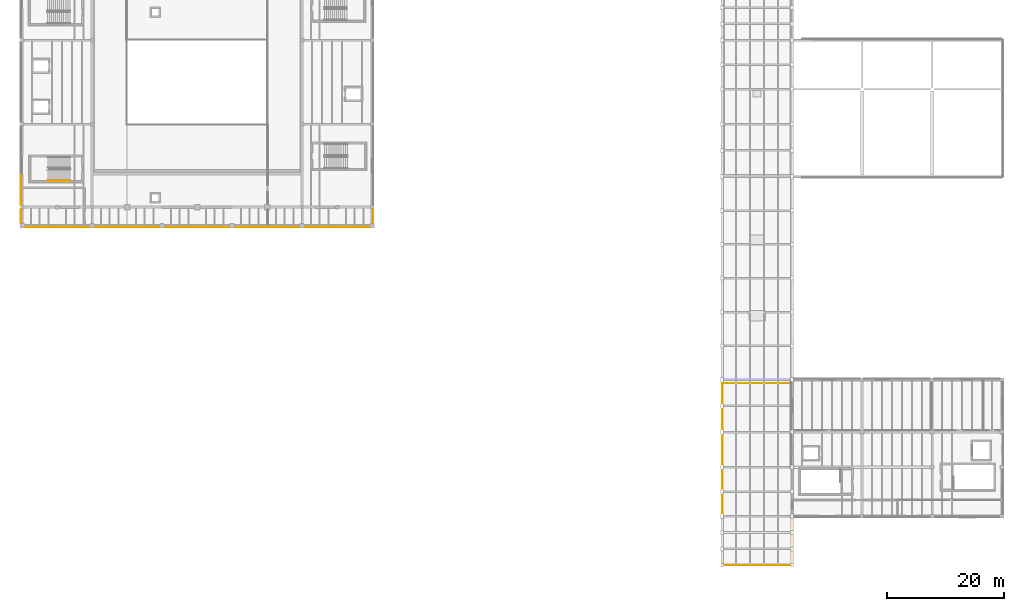
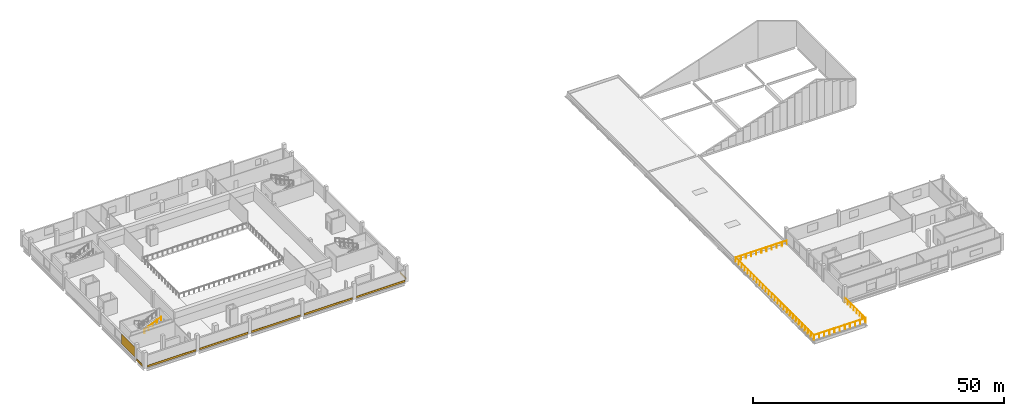
# One storey, part 13 of 19: 8 coverings, 2 railings.
"""IFC4 building model written with IfcOpenShell, lengths in metres."""

from ifc_helpers import new_model, si_unit, direction, frame, origin, origin_2d, place, context, subcontext, project, spatial, rectangle, circle, extrude, material, layer, layer_set, type_object, element, save


model = new_model("IFC4")

# Units and contexts
model_context = context("Model", 3, precision=1e-05, world=origin(), true_north=direction((0.0, 1.0)))
body_context = subcontext(model_context, "Body", "Model", "MODEL_VIEW")
ifc_project = project(units=[si_unit("LENGTHUNIT", "METRE"), si_unit("AREAUNIT", "SQUARE_METRE"), si_unit("VOLUMEUNIT", "CUBIC_METRE"), si_unit("PLANEANGLEUNIT", "RADIAN"), si_unit("MASSUNIT", "GRAM", prefix="KILO")], contexts=[model_context])

# Site, building, storey
site_placement = place(None, origin())
site = spatial("IfcSite", under=ifc_project, at=site_placement, CompositionType="ELEMENT")
building_placement = place(site_placement, origin())
building = spatial("IfcBuilding", under=site, at=building_placement, Name="Kelmvaro Bay Concert Hall", CompositionType="ELEMENT")
storey_placement = place(building_placement, frame((0.0, 0.0, 18.300048828125)))
storey = spatial("IfcBuildingStorey", under=building, at=storey_placement, Name="L04", CompositionType="ELEMENT", Elevation=18.300048828125)

# Coverings
ifc_material_1 = material(Name="Honed Florida Limestone Travertine", Category="masonry")
ifc_layer = layer(ifc_material_1, 0.054931640625)
ifc_layer_set = layer_set([ifc_layer], Name="Honed Florida Limestone Travertine")
covering_type = type_object("IfcCoveringType", Name="Honed Florida Travertine Rainscreen Cladding 55", PredefinedType="CLADDING", material=ifc_layer_set)
covering_1_placement = place(storey_placement, frame((-0.20556640625, 67.014892578125, 0.0400390625), z_axis=(0.0, 0.0, 1.0), x_axis=(0.0, 1.0, 0.0)))
element("IfcCovering", 1, at=covering_1_placement, inside=storey, type_object=covering_type, Name="L04 Travertine Sill Band 0167", PredefinedType="CLADDING", context=body_context, shape_type="SweptSolid", body=[
    extrude(rectangle(XDim=2.360107421875, YDim=0.054931640625, at=origin_2d()), origin(), (0.0, 0.0, 1.0), 0.4599609375),
])
covering_2_placement = place(storey_placement, frame((-0.20556640625, 71.612548828125, 0.52001953125), z_axis=(0.0, 0.0, 1.0), x_axis=(0.0, 1.0, 0.0)))
element("IfcCovering", 2, at=covering_2_placement, inside=storey, type_object=covering_type, Name="L04 Travertine Pier Panel 0169", PredefinedType="CLADDING", context=body_context, shape_type="SweptSolid", body=[
    extrude(rectangle(XDim=5.2548828125, YDim=0.054931640625, at=origin_2d()), origin(), (0.0, 0.0, 1.0), 2.35009765625),
])
covering_3_placement = place(storey_placement, frame((60.195556640625, 67.014892578125, 0.0400390625), z_axis=(0.0, 0.0, 1.0), x_axis=(0.0, -1.0, 0.0)))
element("IfcCovering", 3, at=covering_3_placement, inside=storey, type_object=covering_type, Name="L04 Travertine Sill Band 0179", PredefinedType="CLADDING", context=body_context, shape_type="SweptSolid", body=[
    extrude(rectangle(XDim=2.360107421875, YDim=0.054931640625, at=origin_2d()), origin(), (0.0, 0.0, 1.0), 0.4599609375),
])
covering_4_placement = place(storey_placement, frame((6.012451171875, 65.194580078125, 0.0400390625), z_axis=(0.0, 0.0, 1.0), x_axis=(-1.0, 0.0, 0.0)))
element("IfcCovering", 4, at=covering_4_placement, inside=storey, type_object=covering_type, Name="L04 Travertine Sill Band 0185", PredefinedType="CLADDING", context=body_context, shape_type="SweptSolid", body=[
    extrude(rectangle(XDim=11.155029296875, YDim=0.054931640625, at=origin_2d()), origin(), (0.0, 0.0, 1.0), 0.4599609375),
])
for number, where, z_axis, x_axis, name in (
    (5, (18.0, 65.194580078125, 0.0400390625), (0.0, 0.0, 1.0), (-1.0, 0.0, 0.0), "L04 Travertine Sill Band 0186"),
    (6, (30.0, 65.194580078125, 0.0400390625), (0.0, 0.0, 1.0), (-1.0, 0.0, 0.0), "L04 Travertine Sill Band 0187"),
    (7, (42.0, 65.194580078125, 0.0400390625), (0.0, 0.0, 1.0), (-1.0, 0.0, 0.0), "L04 Travertine Sill Band 0188"),
):
    element("IfcCovering", number, at=place(storey_placement, frame(where, z_axis=z_axis, x_axis=x_axis)), inside=storey, type_object=covering_type, Name=name, PredefinedType="CLADDING", context=body_context, shape_type="SweptSolid", body=[
        extrude(rectangle(XDim=11.179931640625, YDim=0.054931640625, at=origin_2d()), origin(), (0.0, 0.0, 1.0), 0.4599609375),
    ])
covering_5_placement = place(storey_placement, frame((53.987548828125, 65.194580078125, 0.0400390625), z_axis=(0.0, 0.0, 1.0), x_axis=(-1.0, 0.0, 0.0)))
element("IfcCovering", 8, at=covering_5_placement, inside=storey, type_object=covering_type, Name="L04 Travertine Sill Band 0189", PredefinedType="CLADDING", context=body_context, shape_type="SweptSolid", body=[
    extrude(rectangle(XDim=11.155029296875, YDim=0.054931640625, at=origin_2d()), origin(), (0.0, 0.0, 1.0), 0.4599609375),
])

# Railings
ifc_material_2 = material(Name="Brushed Stainless Steel 316", Category="steel")
railing_type_1 = type_object("IfcRailingType", Name="Stair Stainless Wall Handrail 900", PredefinedType="HANDRAIL", material=ifc_material_2)
railing_1_placement = place(storey_placement, frame((4.39208984375, 73.139892578125, 2.112548828125)))
element("IfcRailing", 9, at=railing_1_placement, inside=storey, type_object=railing_type_1, Name="L04 ST-01 stair handrail 2", PredefinedType="HANDRAIL", context=body_context, shape_type="SweptSolid", body=[
    extrude(circle(Radius=0.02392578125, at=origin_2d()), frame((0.0, 0.0, 0.8759765625), z_axis=(0.906091582562, 0.0, 0.423081604435), x_axis=(0.0, 1.0, 0.0)), (0.0, 0.0, 1.0), 4.224609375),
    extrude(circle(Radius=0.02099609375, at=origin_2d()), origin(), (0.0, 0.0, 1.0), 0.851806640625),
    extrude(circle(Radius=0.02099609375, at=origin_2d()), frame((0.95703125, 0.0, 0.44677734375)), (0.0, 0.0, 1.0), 0.851806640625),
    extrude(circle(Radius=0.02099609375, at=origin_2d()), frame((1.9140625, 0.0, 0.8935546875)), (0.0, 0.0, 1.0), 0.851806640625),
    extrude(circle(Radius=0.02099609375, at=origin_2d()), frame((2.870849609375, 0.0, 1.340576171875)), (0.0, 0.0, 1.0), 0.851806640625),
    extrude(circle(Radius=0.02099609375, at=origin_2d()), frame((3.827880859375, 0.0, 1.787353515625)), (0.0, 0.0, 1.0), 0.851806640625),
])
ifc_material_3 = material(Name="Stainless Steel 316 and Laminated Glass", Category="steel")
railing_type_2 = type_object("IfcRailingType", Name="Waterfront Terrace Laminated Glass Guard 1100", PredefinedType="BALUSTRADE", material=ifc_material_3)
railing_2_placement = place(storey_placement, frame((131.919921875, 15.47998046875, 0.0)))
element("IfcRailing", 10, at=railing_2_placement, inside=storey, type_object=railing_type_2, Name="L04 Terrace Guard 009", PredefinedType="BALUSTRADE", context=body_context, shape_type="SweptSolid", body=[
    extrude(circle(Radius=0.02392578125, at=origin_2d()), frame((0.0, 0.0, 1.076171875), z_axis=(0.0, -1.0, 0.0), x_axis=(1.0, 0.0, 0.0)), (0.0, 0.0, 1.0), 8.199951171875),
    extrude(circle(Radius=0.02392578125, at=origin_2d()), frame((0.0, -8.199951171875, 1.076171875), z_axis=(-1.0, 0.0, 0.0), x_axis=(0.0, -1.0, 0.0)), (0.0, 0.0, 1.0), 11.83984375),
    extrude(circle(Radius=0.02392578125, at=origin_2d()), frame((-11.83984375, -8.199951171875, 1.076171875), z_axis=(0.0, 1.0, 0.0), x_axis=(-1.0, 0.0, 0.0)), (0.0, 0.0, 1.0), 31.099853515625),
    extrude(circle(Radius=0.02392578125, at=origin_2d()), frame((-11.83984375, 22.89990234375, 1.076171875), z_axis=(1.0, 0.0, 0.0), x_axis=(0.0, 1.0, 0.0)), (0.0, 0.0, 1.0), 11.7998046875),
    extrude(circle(Radius=0.02099609375, at=origin_2d()), origin(), (0.0, 0.0, 1.0), 1.052001953125),
    extrude(circle(Radius=0.02099609375, at=origin_2d()), frame((0.0, -1.17138671875, 0.0)), (0.0, 0.0, 1.0), 1.052001953125),
    extrude(circle(Radius=0.02099609375, at=origin_2d()), frame((0.0, -2.3427734375, 0.0)), (0.0, 0.0, 1.0), 1.052001953125),
    extrude(circle(Radius=0.02099609375, at=origin_2d()), frame((0.0, -3.51416015625, 0.0)), (0.0, 0.0, 1.0), 1.052001953125),
    extrude(circle(Radius=0.02099609375, at=origin_2d()), frame((0.0, -4.685791015625, 0.0)), (0.0, 0.0, 1.0), 1.052001953125),
    extrude(circle(Radius=0.02099609375, at=origin_2d()), frame((0.0, -5.857177734375, 0.0)), (0.0, 0.0, 1.0), 1.052001953125),
    extrude(circle(Radius=0.02099609375, at=origin_2d()), frame((0.0, -7.028564453125, 0.0)), (0.0, 0.0, 1.0), 1.052001953125),
    extrude(circle(Radius=0.02099609375, at=origin_2d()), frame((0.0, -8.199951171875, 0.0)), (0.0, 0.0, 1.0), 1.052001953125),
    extrude(circle(Radius=0.02099609375, at=origin_2d()), frame((-1.18408203125, -8.199951171875, 0.0)), (0.0, 0.0, 1.0), 1.052001953125),
    extrude(circle(Radius=0.02099609375, at=origin_2d()), frame((-2.367919921875, -8.199951171875, 0.0)), (0.0, 0.0, 1.0), 1.052001953125),
    extrude(circle(Radius=0.02099609375, at=origin_2d()), frame((-3.552001953125, -8.199951171875, 0.0)), (0.0, 0.0, 1.0), 1.052001953125),
    extrude(circle(Radius=0.02099609375, at=origin_2d()), frame((-4.73583984375, -8.199951171875, 0.0)), (0.0, 0.0, 1.0), 1.052001953125),
    extrude(circle(Radius=0.02099609375, at=origin_2d()), frame((-5.919921875, -8.199951171875, 0.0)), (0.0, 0.0, 1.0), 1.052001953125),
    extrude(circle(Radius=0.02099609375, at=origin_2d()), frame((-7.10400390625, -8.199951171875, 0.0)), (0.0, 0.0, 1.0), 1.052001953125),
    extrude(circle(Radius=0.02099609375, at=origin_2d()), frame((-8.287841796875, -8.199951171875, 0.0)), (0.0, 0.0, 1.0), 1.052001953125),
    extrude(circle(Radius=0.02099609375, at=origin_2d()), frame((-9.471923828125, -8.199951171875, 0.0)), (0.0, 0.0, 1.0), 1.052001953125),
    extrude(circle(Radius=0.02099609375, at=origin_2d()), frame((-10.65576171875, -8.199951171875, 0.0)), (0.0, 0.0, 1.0), 1.052001953125),
    extrude(circle(Radius=0.02099609375, at=origin_2d()), frame((-11.83984375, -8.199951171875, 0.0)), (0.0, 0.0, 1.0), 1.052001953125),
    extrude(circle(Radius=0.02099609375, at=origin_2d()), frame((-11.83984375, -7.00390625, 0.0)), (0.0, 0.0, 1.0), 1.052001953125),
    extrude(circle(Radius=0.02099609375, at=origin_2d()), frame((-11.83984375, -5.8076171875, 0.0)), (0.0, 0.0, 1.0), 1.052001953125),
    extrude(circle(Radius=0.02099609375, at=origin_2d()), frame((-11.83984375, -4.611572265625, 0.0)), (0.0, 0.0, 1.0), 1.052001953125),
    extrude(circle(Radius=0.02099609375, at=origin_2d()), frame((-11.83984375, -3.415283203125, 0.0)), (0.0, 0.0, 1.0), 1.052001953125),
    extrude(circle(Radius=0.02099609375, at=origin_2d()), frame((-11.83984375, -2.21923828125, 0.0)), (0.0, 0.0, 1.0), 1.052001953125),
    extrude(circle(Radius=0.02099609375, at=origin_2d()), frame((-11.83984375, -1.02294921875, 0.0)), (0.0, 0.0, 1.0), 1.052001953125),
    extrude(circle(Radius=0.02099609375, at=origin_2d()), frame((-11.83984375, 0.173095703125, 0.0)), (0.0, 0.0, 1.0), 1.052001953125),
    extrude(circle(Radius=0.02099609375, at=origin_2d()), frame((-11.83984375, 1.369140625, 0.0)), (0.0, 0.0, 1.0), 1.052001953125),
    extrude(circle(Radius=0.02099609375, at=origin_2d()), frame((-11.83984375, 2.5654296875, 0.0)), (0.0, 0.0, 1.0), 1.052001953125),
    extrude(circle(Radius=0.02099609375, at=origin_2d()), frame((-11.83984375, 3.761474609375, 0.0)), (0.0, 0.0, 1.0), 1.052001953125),
    extrude(circle(Radius=0.02099609375, at=origin_2d()), frame((-11.83984375, 4.957763671875, 0.0)), (0.0, 0.0, 1.0), 1.052001953125),
    extrude(circle(Radius=0.02099609375, at=origin_2d()), frame((-11.83984375, 6.15380859375, 0.0)), (0.0, 0.0, 1.0), 1.052001953125),
    extrude(circle(Radius=0.02099609375, at=origin_2d()), frame((-11.83984375, 7.35009765625, 0.0)), (0.0, 0.0, 1.0), 1.052001953125),
    extrude(circle(Radius=0.02099609375, at=origin_2d()), frame((-11.83984375, 8.546142578125, 0.0)), (0.0, 0.0, 1.0), 1.052001953125),
    extrude(circle(Radius=0.02099609375, at=origin_2d()), frame((-11.83984375, 9.7421875, 0.0)), (0.0, 0.0, 1.0), 1.052001953125),
    extrude(circle(Radius=0.02099609375, at=origin_2d()), frame((-11.83984375, 10.9384765625, 0.0)), (0.0, 0.0, 1.0), 1.052001953125),
    extrude(circle(Radius=0.02099609375, at=origin_2d()), frame((-11.83984375, 12.134521484375, 0.0)), (0.0, 0.0, 1.0), 1.052001953125),
    extrude(circle(Radius=0.02099609375, at=origin_2d()), frame((-11.83984375, 13.330810546875, 0.0)), (0.0, 0.0, 1.0), 1.052001953125),
    extrude(circle(Radius=0.02099609375, at=origin_2d()), frame((-11.83984375, 14.52685546875, 0.0)), (0.0, 0.0, 1.0), 1.052001953125),
    extrude(circle(Radius=0.02099609375, at=origin_2d()), frame((-11.83984375, 15.722900390625, 0.0)), (0.0, 0.0, 1.0), 1.052001953125),
    extrude(circle(Radius=0.02099609375, at=origin_2d()), frame((-11.83984375, 16.919189453125, 0.0)), (0.0, 0.0, 1.0), 1.052001953125),
    extrude(circle(Radius=0.02099609375, at=origin_2d()), frame((-11.83984375, 18.115234375, 0.0)), (0.0, 0.0, 1.0), 1.052001953125),
    extrude(circle(Radius=0.02099609375, at=origin_2d()), frame((-11.83984375, 19.3115234375, 0.0)), (0.0, 0.0, 1.0), 1.052001953125),
    extrude(circle(Radius=0.02099609375, at=origin_2d()), frame((-11.83984375, 20.507568359375, 0.0)), (0.0, 0.0, 1.0), 1.052001953125),
    extrude(circle(Radius=0.02099609375, at=origin_2d()), frame((-11.83984375, 21.703857421875, 0.0)), (0.0, 0.0, 1.0), 1.052001953125),
    extrude(circle(Radius=0.02099609375, at=origin_2d()), frame((-11.83984375, 22.89990234375, 0.0)), (0.0, 0.0, 1.0), 1.052001953125),
    extrude(circle(Radius=0.02099609375, at=origin_2d()), frame((-10.659912109375, 22.89990234375, 0.0)), (0.0, 0.0, 1.0), 1.052001953125),
    extrude(circle(Radius=0.02099609375, at=origin_2d()), frame((-9.47998046875, 22.89990234375, 0.0)), (0.0, 0.0, 1.0), 1.052001953125),
    extrude(circle(Radius=0.02099609375, at=origin_2d()), frame((-8.2998046875, 22.89990234375, 0.0)), (0.0, 0.0, 1.0), 1.052001953125),
    extrude(circle(Radius=0.02099609375, at=origin_2d()), frame((-7.119873046875, 22.89990234375, 0.0)), (0.0, 0.0, 1.0), 1.052001953125),
    extrude(circle(Radius=0.02099609375, at=origin_2d()), frame((-5.93994140625, 22.89990234375, 0.0)), (0.0, 0.0, 1.0), 1.052001953125),
    extrude(circle(Radius=0.02099609375, at=origin_2d()), frame((-4.760009765625, 22.89990234375, 0.0)), (0.0, 0.0, 1.0), 1.052001953125),
    extrude(circle(Radius=0.02099609375, at=origin_2d()), frame((-3.580078125, 22.89990234375, 0.0)), (0.0, 0.0, 1.0), 1.052001953125),
    extrude(circle(Radius=0.02099609375, at=origin_2d()), frame((-2.39990234375, 22.89990234375, 0.0)), (0.0, 0.0, 1.0), 1.052001953125),
    extrude(circle(Radius=0.02099609375, at=origin_2d()), frame((-1.219970703125, 22.89990234375, 0.0)), (0.0, 0.0, 1.0), 1.052001953125),
    extrude(circle(Radius=0.02099609375, at=origin_2d()), frame((-0.0400390625, 22.89990234375, 0.0)), (0.0, 0.0, 1.0), 1.052001953125),
])

save(model, "model.ifc")
